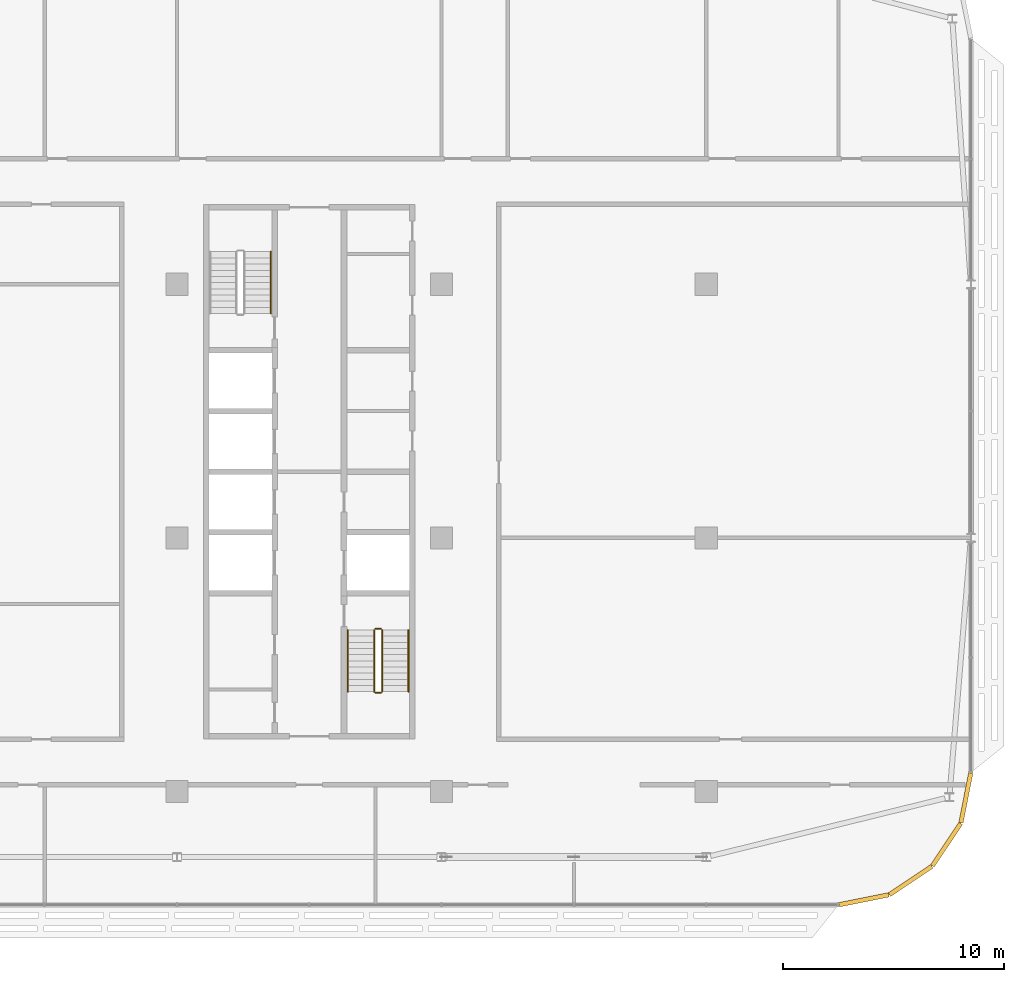
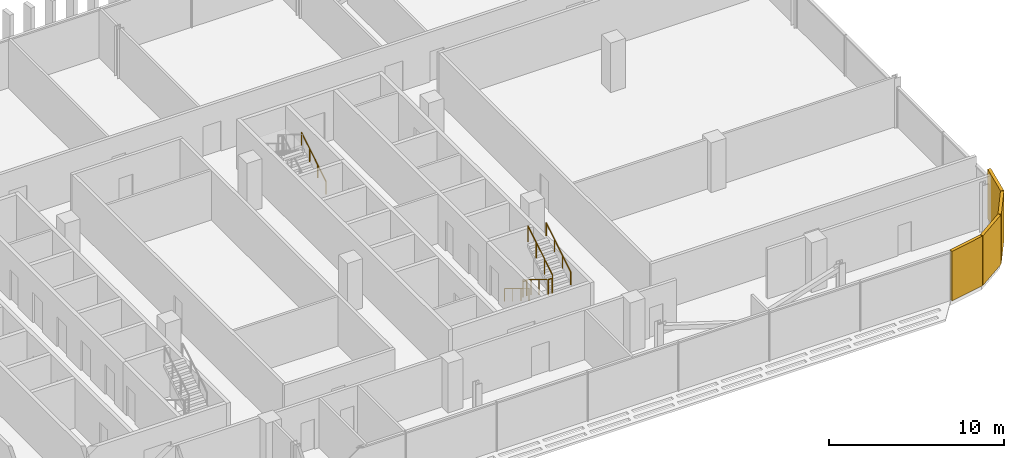
# One storey, part 31 of 32: 7 railings, 4 coverings.
"""IFC4 building model written with IfcOpenShell, lengths in metres."""

from ifc_helpers import new_model, si_unit, direction, frame, origin, origin_2d, place, context, subcontext, project, spatial, rectangle, circle, extrude, material, layer, layer_set, type_object, element, save


model = new_model("IFC4")

# Units and contexts
model_context = context("Model", 3, precision=1e-05, world=origin(), true_north=direction((0.0, 1.0)))
body_context = subcontext(model_context, "Body", "Model", "MODEL_VIEW")
ifc_project = project(units=[si_unit("LENGTHUNIT", "METRE"), si_unit("AREAUNIT", "SQUARE_METRE"), si_unit("VOLUMEUNIT", "CUBIC_METRE"), si_unit("PLANEANGLEUNIT", "RADIAN"), si_unit("MASSUNIT", "GRAM", prefix="KILO")], contexts=[model_context])

# Site, building, storey
site_placement = place(None, origin())
site = spatial("IfcSite", under=ifc_project, at=site_placement, CompositionType="ELEMENT")
building_placement = place(site_placement, origin())
building = spatial("IfcBuilding", under=site, at=building_placement, Name="Mahtab Terrace Research Tower", CompositionType="ELEMENT")
storey_placement = place(building_placement, frame((0.0, 0.0, 232.39990234375)))
storey = spatial("IfcBuildingStorey", under=building, at=storey_placement, Name="L56", CompositionType="ELEMENT", Elevation=232.39990234375)

# Coverings
ifc_material_1 = material(Name="Black aluminium cladding panel", Category="aluminium")
ifc_layer = layer(ifc_material_1, 0.199951171875)
ifc_layer_set = layer_set([ifc_layer], Name="Black metal corner cladding 200")
covering_type = type_object("IfcCoveringType", Name="Black metal corner cladding 200", PredefinedType="CLADDING", material=ifc_layer_set)
for number, where, z_axis, x_axis, name in (
    (1, (49.14794921875, -16.410400390625, 0.0), (0.0, 0.0, 1.0), (0.980760981187, 0.195212442692, 0.0), "Corner cladding L56 17"),
    (2, (51.26953125, -15.531982421875, 0.0), (0.0, 0.0, 1.0), (0.831655794326, 0.555291490808, 0.0), "Corner cladding L56 18"),
    (3, (52.89306640625, -13.908447265625, 0.0), (0.0, 0.0, 1.0), (0.555291490808, 0.831655794326, 0.0), "Corner cladding L56 19"),
    (4, (53.771484375, -11.787109375, 0.0), (0.0, 0.0, 1.0), (0.195212442692, 0.980760981187, 0.0), "Corner cladding L56 20"),
):
    element("IfcCovering", number, at=place(storey_placement, frame(where, z_axis=z_axis, x_axis=x_axis)), inside=storey, type_object=covering_type, Name=name, PredefinedType="CLADDING", context=body_context, shape_type="SweptSolid", body=[
        extrude(rectangle(XDim=2.30126953125, YDim=0.199951171875, at=origin_2d()), origin(), (0.0, 0.0, 1.0), 3.4599609375),
    ])

# Railings
ifc_material_2 = material(Name="Stainless steel AISI 304", Category="steel")
railing_type_1 = type_object("IfcRailingType", Name="Stair guard 1100", PredefinedType="GUARDRAIL", material=ifc_material_2)
railing_1_placement = place(storey_placement, frame((26.949951171875, -4.175048828125, 0.1728515625)))
element("IfcRailing", 5, at=railing_1_placement, inside=storey, type_object=railing_type_1, Name="L56 ST4 stair guard 1", PredefinedType="GUARDRAIL", context=body_context, shape_type="SweptSolid", body=[
    extrude(circle(Radius=0.02392578125, at=origin_2d()), frame((0.0, 0.0, 1.076171875), z_axis=(0.0, -0.851089632645, 0.525020415988), x_axis=(1.0, 0.0, 0.0)), (0.0, 0.0, 1.0), 3.2900390625),
    extrude(circle(Radius=0.02099609375, at=origin_2d()), origin(), (0.0, 0.0, 1.0), 1.052001953125),
    extrude(circle(Radius=0.02099609375, at=origin_2d()), frame((0.0, -0.933349609375, 0.57568359375)), (0.0, 0.0, 1.0), 1.052001953125),
    extrude(circle(Radius=0.02099609375, at=origin_2d()), frame((0.0, -1.86669921875, 1.151611328125)), (0.0, 0.0, 1.0), 1.052001953125),
    extrude(circle(Radius=0.02099609375, at=origin_2d()), frame((0.0, -2.800048828125, 1.727294921875)), (0.0, 0.0, 1.0), 1.052001953125),
])
railing_2_placement = place(storey_placement, frame((27.0, -7.02490234375, 1.900146484375)))
element("IfcRailing", 6, at=railing_2_placement, inside=storey, type_object=railing_type_1, Name="L56 ST4 stair guard 2", PredefinedType="GUARDRAIL", context=body_context, shape_type="SweptSolid", body=[
    extrude(circle(Radius=0.02392578125, at=origin_2d()), frame((0.0, 0.0, 1.076171875), z_axis=(1.0, 0.0, 0.0), x_axis=(0.0, 1.0, 0.0)), (0.0, 0.0, 1.0), 0.25),
    extrude(circle(Radius=0.02099609375, at=origin_2d()), origin(), (0.0, 0.0, 1.0), 1.052001953125),
    extrude(circle(Radius=0.02099609375, at=origin_2d()), frame((0.25, 0.0, 0.0)), (0.0, 0.0, 1.0), 1.052001953125),
])
railing_3_placement = place(storey_placement, frame((27.300048828125, -6.97509765625, 2.07275390625)))
element("IfcRailing", 7, at=railing_3_placement, inside=storey, type_object=railing_type_1, Name="L56 ST4 stair guard 3", PredefinedType="GUARDRAIL", context=body_context, shape_type="SweptSolid", body=[
    extrude(circle(Radius=0.02392578125, at=origin_2d()), frame((0.0, 0.0, 1.076171875), z_axis=(0.0, 0.851089632645, 0.525020415988), x_axis=(-1.0, 0.0, 0.0)), (0.0, 0.0, 1.0), 3.2900390625),
    extrude(circle(Radius=0.02099609375, at=origin_2d()), origin(), (0.0, 0.0, 1.0), 1.052001953125),
    extrude(circle(Radius=0.02099609375, at=origin_2d()), frame((0.0, 0.933349609375, 0.57568359375)), (0.0, 0.0, 1.0), 1.052001953125),
    extrude(circle(Radius=0.02099609375, at=origin_2d()), frame((0.0, 1.86669921875, 1.151611328125)), (0.0, 0.0, 1.0), 1.052001953125),
    extrude(circle(Radius=0.02099609375, at=origin_2d()), frame((0.0, 2.800048828125, 1.727294921875)), (0.0, 0.0, 1.0), 1.052001953125),
])
railing_4_placement = place(storey_placement, frame((27.0, -4.125, 0.0)))
element("IfcRailing", 8, at=railing_4_placement, inside=storey, type_object=railing_type_1, Name="L56 ST4 stair guard 4", PredefinedType="GUARDRAIL", context=body_context, shape_type="SweptSolid", body=[
    extrude(circle(Radius=0.02392578125, at=origin_2d()), frame((0.0, 0.0, 1.076171875), z_axis=(1.0, 0.0, 0.0), x_axis=(0.0, 1.0, 0.0)), (0.0, 0.0, 1.0), 0.25),
    extrude(circle(Radius=0.02099609375, at=origin_2d()), origin(), (0.0, 0.0, 1.0), 1.052001953125),
    extrude(circle(Radius=0.02099609375, at=origin_2d()), frame((0.25, 0.0, 0.0)), (0.0, 0.0, 1.0), 1.052001953125),
])
railing_type_2 = type_object("IfcRailingType", Name="Stair handrail 900", PredefinedType="HANDRAIL", material=ifc_material_2)
railing_5_placement = place(storey_placement, frame((22.25, 10.175048828125, 0.1728515625)))
element("IfcRailing", 9, at=railing_5_placement, inside=storey, type_object=railing_type_2, Name="L56 ST3 stair handrail 1", PredefinedType="HANDRAIL", context=body_context, shape_type="SweptSolid", body=[
    extrude(circle(Radius=0.02392578125, at=origin_2d()), frame((0.0, 0.0, 0.8759765625), z_axis=(0.0, 0.851089632645, 0.525020415988), x_axis=(-1.0, 0.0, 0.0)), (0.0, 0.0, 1.0), 3.2900390625),
    extrude(circle(Radius=0.02099609375, at=origin_2d()), origin(), (0.0, 0.0, 1.0), 0.851806640625),
    extrude(circle(Radius=0.02099609375, at=origin_2d()), frame((0.0, 0.933349609375, 0.57568359375)), (0.0, 0.0, 1.0), 0.851806640625),
    extrude(circle(Radius=0.02099609375, at=origin_2d()), frame((0.0, 1.86669921875, 1.151611328125)), (0.0, 0.0, 1.0), 0.851806640625),
    extrude(circle(Radius=0.02099609375, at=origin_2d()), frame((0.0, 2.800048828125, 1.727294921875)), (0.0, 0.0, 1.0), 0.851806640625),
])
railing_6_placement = place(storey_placement, frame((25.75, -4.175048828125, 0.1728515625)))
element("IfcRailing", 10, at=railing_6_placement, inside=storey, type_object=railing_type_2, Name="L56 ST4 stair handrail 1", PredefinedType="HANDRAIL", context=body_context, shape_type="SweptSolid", body=[
    extrude(circle(Radius=0.02392578125, at=origin_2d()), frame((0.0, 0.0, 0.8759765625), z_axis=(0.0, -0.851089632645, 0.525020415988), x_axis=(1.0, 0.0, 0.0)), (0.0, 0.0, 1.0), 3.2900390625),
    extrude(circle(Radius=0.02099609375, at=origin_2d()), origin(), (0.0, 0.0, 1.0), 0.851806640625),
    extrude(circle(Radius=0.02099609375, at=origin_2d()), frame((0.0, -0.933349609375, 0.57568359375)), (0.0, 0.0, 1.0), 0.851806640625),
    extrude(circle(Radius=0.02099609375, at=origin_2d()), frame((0.0, -1.86669921875, 1.151611328125)), (0.0, 0.0, 1.0), 0.851806640625),
    extrude(circle(Radius=0.02099609375, at=origin_2d()), frame((0.0, -2.800048828125, 1.727294921875)), (0.0, 0.0, 1.0), 0.851806640625),
])
railing_7_placement = place(storey_placement, frame((28.5, -6.97509765625, 2.07275390625)))
element("IfcRailing", 11, at=railing_7_placement, inside=storey, type_object=railing_type_2, Name="L56 ST4 stair handrail 2", PredefinedType="HANDRAIL", context=body_context, shape_type="SweptSolid", body=[
    extrude(circle(Radius=0.02392578125, at=origin_2d()), frame((0.0, 0.0, 0.8759765625), z_axis=(0.0, 0.851089632645, 0.525020415988), x_axis=(-1.0, 0.0, 0.0)), (0.0, 0.0, 1.0), 3.2900390625),
    extrude(circle(Radius=0.02099609375, at=origin_2d()), origin(), (0.0, 0.0, 1.0), 0.851806640625),
    extrude(circle(Radius=0.02099609375, at=origin_2d()), frame((0.0, 0.933349609375, 0.57568359375)), (0.0, 0.0, 1.0), 0.851806640625),
    extrude(circle(Radius=0.02099609375, at=origin_2d()), frame((0.0, 1.86669921875, 1.151611328125)), (0.0, 0.0, 1.0), 0.851806640625),
    extrude(circle(Radius=0.02099609375, at=origin_2d()), frame((0.0, 2.800048828125, 1.727294921875)), (0.0, 0.0, 1.0), 0.851806640625),
])

save(model, "model.ifc")
